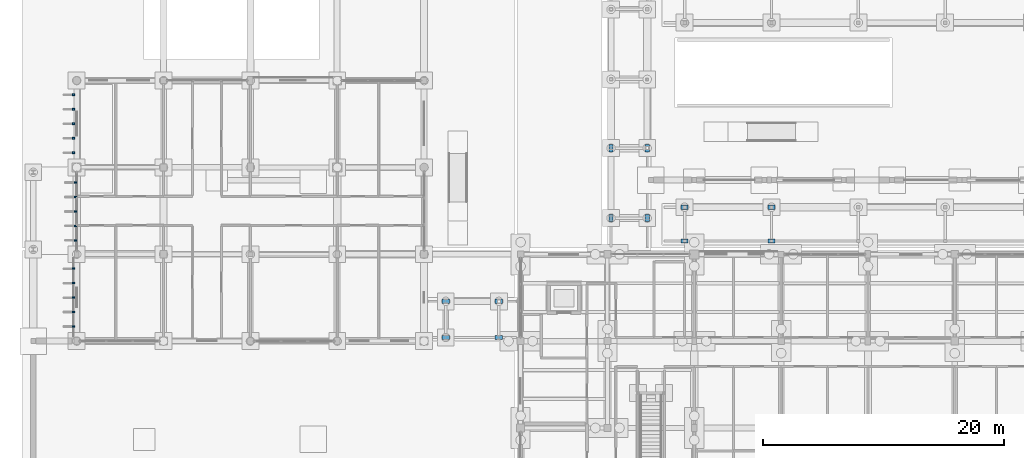
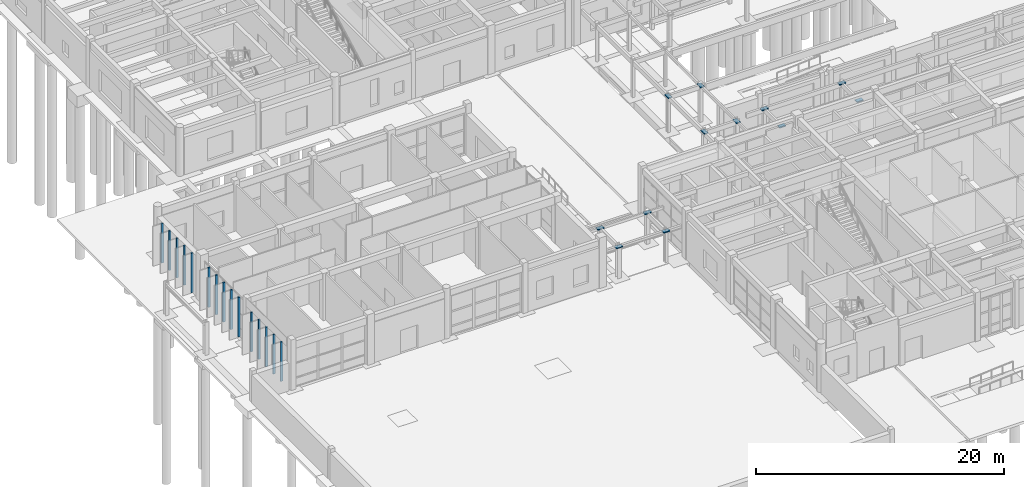
# One storey, part 125 of 143: 27 discrete accessories.
"""IFC4 building model written with IfcOpenShell, lengths in metres."""

from ifc_helpers import new_model, si_unit, direction, frame, origin, origin_2d, place, context, subcontext, project, spatial, rectangle, extrude, material, type_object, element, save


model = new_model("IFC4")

# Units and contexts
model_context = context("Model", 3, precision=1e-05, world=origin(), true_north=direction((0.0, 1.0)))
body_context = subcontext(model_context, "Body", "Model", "MODEL_VIEW")
ifc_project = project(units=[si_unit("LENGTHUNIT", "METRE"), si_unit("AREAUNIT", "SQUARE_METRE"), si_unit("VOLUMEUNIT", "CUBIC_METRE"), si_unit("PLANEANGLEUNIT", "RADIAN"), si_unit("MASSUNIT", "GRAM", prefix="KILO")], contexts=[model_context])

# Site, building, storey
site_placement = place(None, origin())
site = spatial("IfcSite", under=ifc_project, at=site_placement, CompositionType="ELEMENT")
building_placement = place(site_placement, origin())
building = spatial("IfcBuilding", under=site, at=building_placement, Name="Steenspoor Specialist Clinic", CompositionType="ELEMENT")
storey_placement = place(building_placement, origin())
storey = spatial("IfcBuildingStorey", under=building, at=storey_placement, Name="L00", CompositionType="ELEMENT", Elevation=0.0)

# Discrete accessories
ifc_material_1 = material(Name="PTFE elastomeric sliding bearing", Category="steel")
discrete_accessory_type_1 = type_object("IfcDiscreteAccessoryType", Name="ACC-BEARING-PTFE", PredefinedType="BRACKET", material=ifc_material_1)
for number, where, z_axis, x_axis, name in (
    (1, (52.699951171875, 44.85009765625, 3.46484375), (0.0, 0.0, 1.0), (1.0, 0.0, 0.0), "Walkway sliding bearing BRG-01 (01)"),
    (2, (55.699951171875, 44.85009765625, 3.46484375), (0.0, 0.0, 1.0), (1.0, 0.0, 0.0), "Walkway sliding bearing BRG-01 (02)"),
    (3, (52.699951171875, 50.64990234375, 3.46484375), (0.0, 0.0, 1.0), (1.0, 0.0, 0.0), "Walkway sliding bearing BRG-01 (03)"),
    (4, (55.699951171875, 50.64990234375, 3.46484375), (0.0, 0.0, 1.0), (1.0, 0.0, 0.0), "Walkway sliding bearing BRG-01 (04)"),
):
    element("IfcDiscreteAccessory", number, at=place(storey_placement, frame(where, z_axis=z_axis, x_axis=x_axis)), inside=storey, type_object=discrete_accessory_type_1, Name=name, PredefinedType="BRACKET", context=body_context, shape_type="SweptSolid", body=[
        extrude(rectangle(XDim=0.360107421875, YDim=0.60009765625, at=origin_2d()), origin(), (0.0, 0.0, 1.0), 0.10009765625),
    ])
for number, where, z_axis, x_axis, name in (
    (5, (39.0, 34.949951171875, 2.96484375), (0.0, 0.0, 1.0), (1.0, 0.0, 0.0), "Walkway sliding bearing BRG-01 (09)"),
    (6, (39.0, 37.949951171875, 2.96484375), (0.0, 0.0, 1.0), (1.0, 0.0, 0.0), "Walkway sliding bearing BRG-01 (10)"),
    (7, (43.39990234375, 34.949951171875, 2.96484375), (0.0, 0.0, 1.0), (1.0, 0.0, 0.0), "Walkway sliding bearing BRG-01 (11)"),
    (8, (43.39990234375, 37.949951171875, 2.96484375), (0.0, 0.0, 1.0), (1.0, 0.0, 0.0), "Walkway sliding bearing BRG-01 (12)"),
    (9, (58.800048828125, 42.949951171875, 3.06494140625), (0.0, 0.0, 1.0), (1.0, 0.0, 0.0), "Walkway sliding bearing BRG-01 (17)"),
    (10, (58.800048828125, 45.75, 3.06494140625), (0.0, 0.0, 1.0), (1.0, 0.0, 0.0), "Walkway sliding bearing BRG-01 (18)"),
    (11, (66.0, 42.949951171875, 3.06494140625), (0.0, 0.0, 1.0), (1.0, 0.0, 0.0), "Walkway sliding bearing BRG-01 (19)"),
    (12, (66.0, 45.75, 3.06494140625), (0.0, 0.0, 1.0), (1.0, 0.0, 0.0), "Walkway sliding bearing BRG-01 (20)"),
):
    element("IfcDiscreteAccessory", number, at=place(storey_placement, frame(where, z_axis=z_axis, x_axis=x_axis)), inside=storey, type_object=discrete_accessory_type_1, Name=name, PredefinedType="BRACKET", context=body_context, shape_type="SweptSolid", body=[
        extrude(rectangle(XDim=0.60009765625, YDim=0.360107421875, at=origin_2d()), origin(), (0.0, 0.0, 1.0), 0.10009765625),
    ])
ifc_material_2 = material(Name="Galvanised steel mounting bracket", Category="steel")
discrete_accessory_type_2 = type_object("IfcDiscreteAccessoryType", Name="ACC-BRACKET-FIN", PredefinedType="BRACKET", material=ifc_material_2)
for number, where, z_axis, x_axis, name in (
    (13, (8.139892578125, 35.862548828125, 0.050048828125), (0.0, 0.0, 1.0), (-1.0, 0.0, 0.0), "Fin Mounting Bracket 1"),
    (14, (8.139892578125, 37.0625, 0.050048828125), (0.0, 0.0, 1.0), (-1.0, 0.0, 0.0), "Fin Mounting Bracket 2"),
    (15, (8.139892578125, 38.262451171875, 0.050048828125), (0.0, 0.0, 1.0), (-1.0, 0.0, 0.0), "Fin Mounting Bracket 3"),
    (16, (8.139892578125, 39.46240234375, 0.050048828125), (0.0, 0.0, 1.0), (-1.0, 0.0, 0.0), "Fin Mounting Bracket 4"),
    (17, (8.139892578125, 40.66259765625, 0.050048828125), (0.0, 0.0, 1.0), (-1.0, 0.0, 0.0), "Fin Mounting Bracket 5"),
    (18, (8.2900390625, 43.0, 0.050048828125), (0.0, 0.0, 1.0), (-1.0, 0.0, 0.0), "Fin Mounting Bracket 6"),
    (19, (8.2900390625, 44.199951171875, 0.050048828125), (0.0, 0.0, 1.0), (-1.0, 0.0, 0.0), "Fin Mounting Bracket 7"),
    (20, (8.2900390625, 45.39990234375, 0.050048828125), (0.0, 0.0, 1.0), (-1.0, 0.0, 0.0), "Fin Mounting Bracket 8"),
    (21, (8.2900390625, 46.60009765625, 0.050048828125), (0.0, 0.0, 1.0), (-1.0, 0.0, 0.0), "Fin Mounting Bracket 9"),
    (22, (8.2900390625, 47.800048828125, 0.050048828125), (0.0, 0.0, 1.0), (-1.0, 0.0, 0.0), "Fin Mounting Bracket 10"),
    (23, (8.139892578125, 50.27490234375, 0.050048828125), (0.0, 0.0, 1.0), (-1.0, 0.0, 0.0), "Fin Mounting Bracket 11"),
    (24, (8.139892578125, 51.47509765625, 0.050048828125), (0.0, 0.0, 1.0), (-1.0, 0.0, 0.0), "Fin Mounting Bracket 12"),
    (25, (8.139892578125, 52.675048828125, 0.050048828125), (0.0, 0.0, 1.0), (-1.0, 0.0, 0.0), "Fin Mounting Bracket 13"),
    (26, (8.139892578125, 53.875, 0.050048828125), (0.0, 0.0, 1.0), (-1.0, 0.0, 0.0), "Fin Mounting Bracket 14"),
    (27, (8.139892578125, 55.074951171875, 0.050048828125), (0.0, 0.0, 1.0), (-1.0, 0.0, 0.0), "Fin Mounting Bracket 15"),
):
    element("IfcDiscreteAccessory", number, at=place(storey_placement, frame(where, z_axis=z_axis, x_axis=x_axis)), inside=storey, type_object=discrete_accessory_type_2, Name=name, PredefinedType="BRACKET", context=body_context, shape_type="SweptSolid", body=[
        extrude(rectangle(XDim=0.219970703125, YDim=0.139892578125, at=origin_2d()), origin(), (0.0, 0.0, 1.0), 3.8798828125),
    ])

save(model, "model.ifc")
